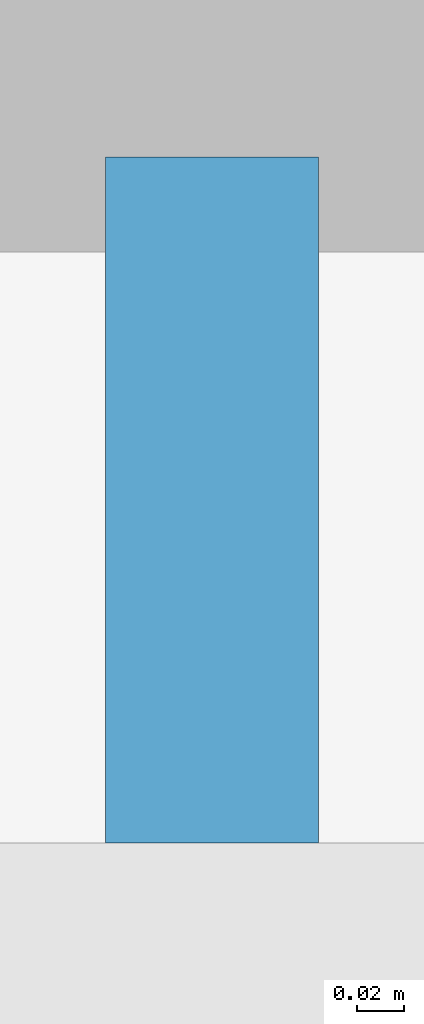
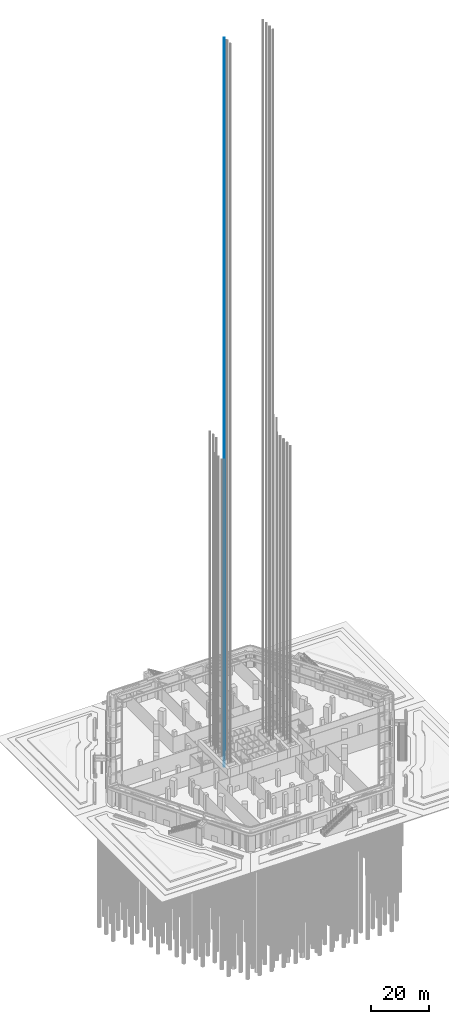
# One storey, part 42 of 68: 1 discrete accessory.
"""IFC4 building model written with IfcOpenShell, lengths in metres."""

from ifc_helpers import new_model, si_unit, direction, frame, origin, origin_2d, place, context, subcontext, project, spatial, rectangle, extrude, element, save


model = new_model("IFC4")

# Units and contexts
model_context = context("Model", 3, precision=1e-05, world=origin(), true_north=direction((0.0, 1.0)))
body_context = subcontext(model_context, "Body", "Model", "MODEL_VIEW")
ifc_project = project(units=[si_unit("LENGTHUNIT", "METRE"), si_unit("AREAUNIT", "SQUARE_METRE"), si_unit("VOLUMEUNIT", "CUBIC_METRE"), si_unit("PLANEANGLEUNIT", "RADIAN"), si_unit("MASSUNIT", "GRAM", prefix="KILO")], contexts=[model_context])

# Site, building, storey
site_placement = place(None, origin())
site = spatial("IfcSite", under=ifc_project, at=site_placement, CompositionType="ELEMENT")
building_placement = place(site_placement, origin())
building = spatial("IfcBuilding", under=site, at=building_placement, Name="Kolab Exchange Tower", CompositionType="ELEMENT")
storey_placement = place(building_placement, origin())
storey = spatial("IfcBuildingStorey", under=building, at=storey_placement, Name="L00", CompositionType="ELEMENT", Elevation=0.0)

# Discrete accessory
discrete_accessory_placement = place(storey_placement, frame((-9.199951171875, 2.14501953125, -1.599853515625), z_axis=(0.0, 0.0, 1.0), x_axis=(1.0, 0.0, 0.0)))
element("IfcDiscreteAccessory", 1, at=discrete_accessory_placement, inside=storey, Name="Guide rail FF2-2", ObjectType="GUIDE RAIL", PredefinedType="USERDEFINED", context=body_context, shape_type="SweptSolid", body=[
    extrude(rectangle(XDim=0.090087890625, YDim=0.2900390625, at=origin_2d()), origin(), (0.0, 0.0, 1.0), 307.89990234375),
])

save(model, "model.ifc")
